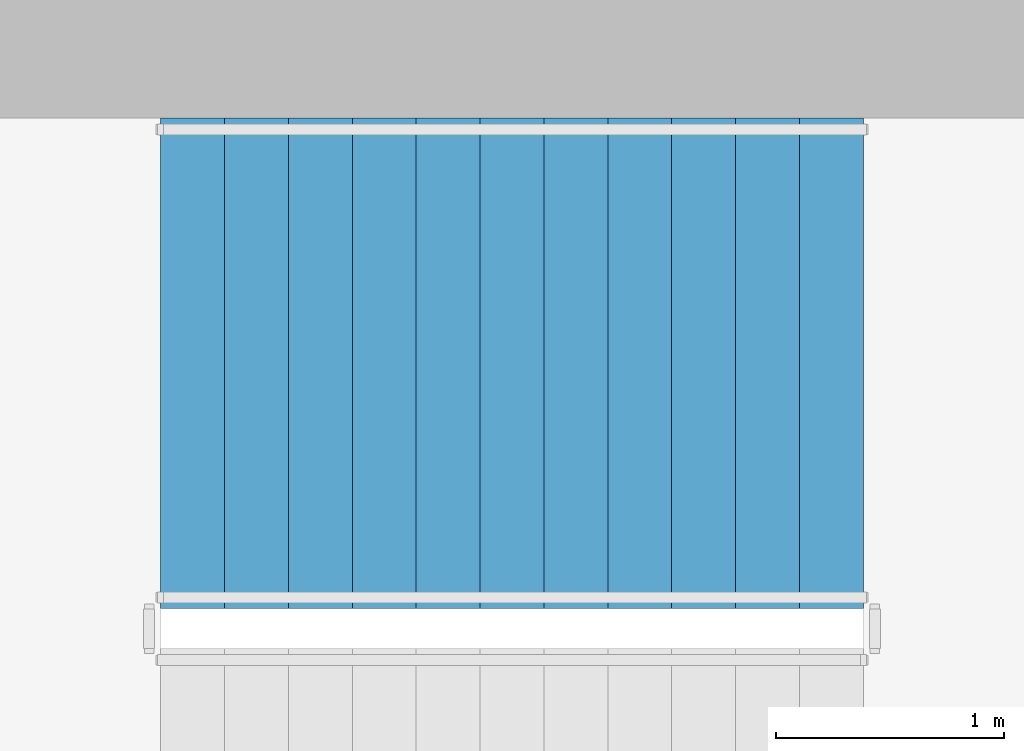
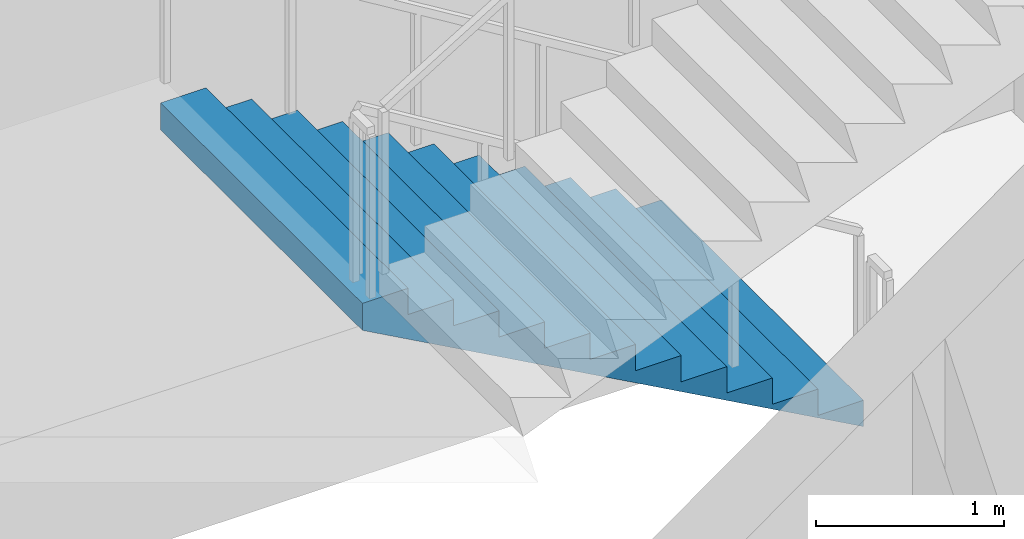
# One storey, part 10 of 16: 1 stair flight, 1 element without a shape of its own.
"""IFC4 building model written with IfcOpenShell, lengths in metres."""

from ifc_helpers import new_model, si_unit, direction, frame, origin, place, context, subcontext, project, spatial, triangles, material, type_object, element, aggregate, save


model = new_model("IFC4")

# Units and contexts
model_context = context("Model", 3, precision=1e-05, world=origin(), true_north=direction((0.0, 1.0)))
body_context = subcontext(model_context, "Body", "Model", "MODEL_VIEW")
ifc_project = project(units=[si_unit("LENGTHUNIT", "METRE"), si_unit("AREAUNIT", "SQUARE_METRE"), si_unit("VOLUMEUNIT", "CUBIC_METRE"), si_unit("PLANEANGLEUNIT", "RADIAN"), si_unit("MASSUNIT", "GRAM", prefix="KILO")], contexts=[model_context])

# Site, building, storey
site_placement = place(None, origin())
site = spatial("IfcSite", under=ifc_project, at=site_placement, CompositionType="ELEMENT")
building_placement = place(site_placement, origin())
building = spatial("IfcBuilding", under=site, at=building_placement, Name="Cypress Arch Tower", CompositionType="ELEMENT")
storey_placement = place(building_placement, frame((0.0, 0.0, 181.0)))
storey = spatial("IfcBuildingStorey", under=building, at=storey_placement, Name="L39", CompositionType="ELEMENT", Elevation=181.0)

# Stair, stair flight
ifc_material_1 = material(Name="Concrete C40/50", Category="concrete")
stair_type = type_object("IfcStairType", Name="Exit stair ES1708-215", PredefinedType="HALF_TURN_STAIR", material=ifc_material_1)
stair_placement = place(storey_placement, origin())
stair = element("IfcStair", 1, at=stair_placement, inside=storey, type_object=stair_type, Name="L39 Exit stair B", PredefinedType="HALF_TURN_STAIR")
ifc_material_2 = material(Name="Concrete C40/50", Category="concrete")
stair_flight_type = type_object("IfcStairFlightType", Name="Exit stair flight ES1708-215", PredefinedType="STRAIGHT", material=ifc_material_2)
stair_flight_placement = place(storey_placement, frame((-22.27490234375, 13.72509765625, 0.0), z_axis=(0.0, 0.0, 1.0), x_axis=(-1.0, 0.0, 0.0)))
stair_flight = element("IfcStairFlight", 2, at=stair_flight_placement, type_object=stair_flight_type, Name="B flight 1", NumberOfRisers=12, NumberOfTreads=11, PredefinedType="STRAIGHT", RiserHeight=0.170833333, TreadLength=0.28, context=body_context, shape_type="Tessellation", body=[
    triangles([(0.0, -1.074951171875, 0.0), (0.000244140625, -1.074951171875, 0.01904296875), (0.000244140625, -1.074951171875, 0.0380859375), (0.00048828125, -1.074951171875, 0.056884765625), (0.00048828125, -1.074951171875, 0.075927734375), (0.00048828125, -1.074951171875, 0.094970703125), (0.00048828125, -1.074951171875, 0.114013671875), (0.000244140625, -1.074951171875, 0.1328125), (0.000244140625, -1.074951171875, 0.15185546875), (0.0, -1.074951171875, 0.1708984375), (0.280029296875, -1.074951171875, 0.1708984375), (0.280029296875, -1.074951171875, 0.341552734375), (0.56005859375, -1.074951171875, 0.341552734375), (0.56005859375, -1.074951171875, 0.512451171875), (0.840087890625, -1.074951171875, 0.512451171875), (0.840087890625, -1.074951171875, 0.683349609375), (1.1201171875, -1.074951171875, 0.683349609375), (1.1201171875, -1.074951171875, 0.854248046875), (1.39990234375, -1.074951171875, 0.854248046875), (1.39990234375, -1.074951171875, 1.02490234375), (1.679931640625, -1.074951171875, 1.02490234375), (1.679931640625, -1.074951171875, 1.19580078125), (1.9599609375, -1.074951171875, 1.19580078125), (1.9599609375, -1.074951171875, 1.36669921875), (2.239990234375, -1.074951171875, 1.36669921875), (2.239990234375, -1.074951171875, 1.53759765625), (2.52001953125, -1.074951171875, 1.53759765625), (2.52001953125, -1.074951171875, 1.708251953125), (2.800048828125, -1.074951171875, 1.708251953125), (2.800048828125, -1.074951171875, 1.879150390625), (3.080078125, -1.074951171875, 1.879150390625), (3.079833984375, -1.074951171875, 1.859619140625), (3.079833984375, -1.074951171875, 1.840087890625), (3.07958984375, -1.074951171875, 1.820556640625), (3.07958984375, -1.074951171875, 1.801025390625), (3.07958984375, -1.074951171875, 1.78173828125), (3.07958984375, -1.074951171875, 1.76220703125), (3.079833984375, -1.074951171875, 1.74267578125), (3.079833984375, -1.074951171875, 1.72314453125), (3.080078125, -1.074951171875, 1.70361328125), (3.080078125, 1.074951171875, 1.70361328125), (3.079833984375, 1.074951171875, 1.72314453125), (3.079833984375, 1.074951171875, 1.74267578125), (3.07958984375, 1.074951171875, 1.76220703125), (3.07958984375, 1.074951171875, 1.78173828125), (3.07958984375, 1.074951171875, 1.801025390625), (3.07958984375, 1.074951171875, 1.820556640625), (3.079833984375, 1.074951171875, 1.840087890625), (3.079833984375, 1.074951171875, 1.859619140625), (3.080078125, 1.074951171875, 1.879150390625), (2.800048828125, 1.074951171875, 1.879150390625), (2.800048828125, 1.074951171875, 1.708251953125), (2.52001953125, 1.074951171875, 1.708251953125), (2.52001953125, 1.074951171875, 1.53759765625), (2.239990234375, 1.074951171875, 1.53759765625), (2.239990234375, 1.074951171875, 1.36669921875), (1.9599609375, 1.074951171875, 1.36669921875), (1.9599609375, 1.074951171875, 1.19580078125), (1.679931640625, 1.074951171875, 1.19580078125), (1.679931640625, 1.074951171875, 1.02490234375), (1.39990234375, 1.074951171875, 1.02490234375), (1.39990234375, 1.074951171875, 0.854248046875), (1.1201171875, 1.074951171875, 0.854248046875), (1.1201171875, 1.074951171875, 0.683349609375), (0.840087890625, 1.074951171875, 0.683349609375), (0.840087890625, 1.074951171875, 0.512451171875), (0.56005859375, 1.074951171875, 0.512451171875), (0.56005859375, 1.074951171875, 0.341552734375), (0.280029296875, 1.074951171875, 0.341552734375), (0.280029296875, 1.074951171875, 0.1708984375), (0.0, 1.074951171875, 0.1708984375), (0.000244140625, 1.074951171875, 0.15185546875), (0.000244140625, 1.074951171875, 0.1328125), (0.00048828125, 1.074951171875, 0.114013671875), (0.00048828125, 1.074951171875, 0.094970703125), (0.00048828125, 1.074951171875, 0.075927734375), (0.00048828125, 1.074951171875, 0.056884765625), (0.000244140625, 1.074951171875, 0.0380859375), (0.000244140625, 1.074951171875, 0.01904296875), (0.0, 1.074951171875, 0.0)], [[40, 39, 30], [39, 38, 30], [38, 37, 30], [37, 36, 30], [36, 35, 30], [35, 34, 30], [34, 33, 30], [33, 32, 30], [32, 31, 30], [19, 18, 17], [27, 26, 25], [25, 24, 23], [23, 22, 21], [17, 16, 15], [15, 14, 13], [10, 9, 11], [9, 8, 11], [8, 7, 11], [7, 6, 11], [6, 5, 11], [5, 4, 11], [4, 3, 11], [3, 2, 11], [2, 1, 11], [29, 28, 27], [21, 20, 19], [13, 12, 11], [40, 30, 29], [40, 29, 27], [40, 27, 25], [40, 25, 23], [40, 23, 21], [40, 21, 19], [40, 19, 17], [40, 17, 15], [40, 15, 13], [1, 40, 13], [13, 11, 1], [41, 51, 42], [42, 51, 43], [43, 51, 44], [44, 51, 45], [45, 51, 46], [46, 51, 47], [47, 51, 48], [48, 51, 49], [49, 51, 50], [62, 64, 63], [54, 56, 55], [56, 58, 57], [58, 60, 59], [64, 66, 65], [66, 68, 67], [71, 70, 72], [72, 70, 73], [73, 70, 74], [74, 70, 75], [75, 70, 76], [76, 70, 77], [77, 70, 78], [78, 70, 79], [79, 70, 80], [52, 54, 53], [60, 62, 61], [68, 70, 69], [41, 52, 51], [41, 54, 52], [41, 56, 54], [41, 58, 56], [41, 60, 58], [41, 62, 60], [41, 64, 62], [41, 66, 64], [41, 68, 66], [80, 68, 41], [68, 80, 70], [41, 42, 39], [41, 39, 40], [42, 43, 38], [42, 38, 39], [43, 44, 37], [43, 37, 38], [44, 45, 36], [44, 36, 37], [45, 46, 35], [45, 35, 36], [46, 47, 34], [46, 34, 35], [47, 48, 33], [47, 33, 34], [48, 49, 32], [48, 32, 33], [49, 50, 31], [49, 31, 32], [50, 51, 30], [50, 30, 31], [51, 52, 29], [51, 29, 30], [52, 53, 28], [52, 28, 29], [53, 54, 27], [53, 27, 28], [54, 55, 26], [54, 26, 27], [55, 56, 25], [55, 25, 26], [56, 57, 24], [56, 24, 25], [57, 58, 23], [57, 23, 24], [58, 59, 22], [58, 22, 23], [59, 60, 21], [59, 21, 22], [60, 61, 20], [60, 20, 21], [61, 62, 19], [61, 19, 20], [62, 63, 18], [62, 18, 19], [63, 64, 17], [63, 17, 18], [64, 65, 16], [64, 16, 17], [65, 66, 15], [65, 15, 16], [66, 67, 14], [66, 14, 15], [67, 68, 13], [67, 13, 14], [68, 69, 12], [68, 12, 13], [69, 70, 11], [69, 11, 12], [70, 71, 10], [70, 10, 11], [71, 72, 9], [71, 9, 10], [72, 73, 8], [72, 8, 9], [73, 74, 7], [73, 7, 8], [74, 75, 6], [74, 6, 7], [75, 76, 5], [75, 5, 6], [76, 77, 4], [76, 4, 5], [77, 78, 3], [77, 3, 4], [78, 79, 2], [78, 2, 3], [79, 80, 1], [79, 1, 2], [80, 41, 40], [80, 40, 1]], closed=True),
])
aggregate(stair, [stair_flight])

save(model, "model.ifc")
